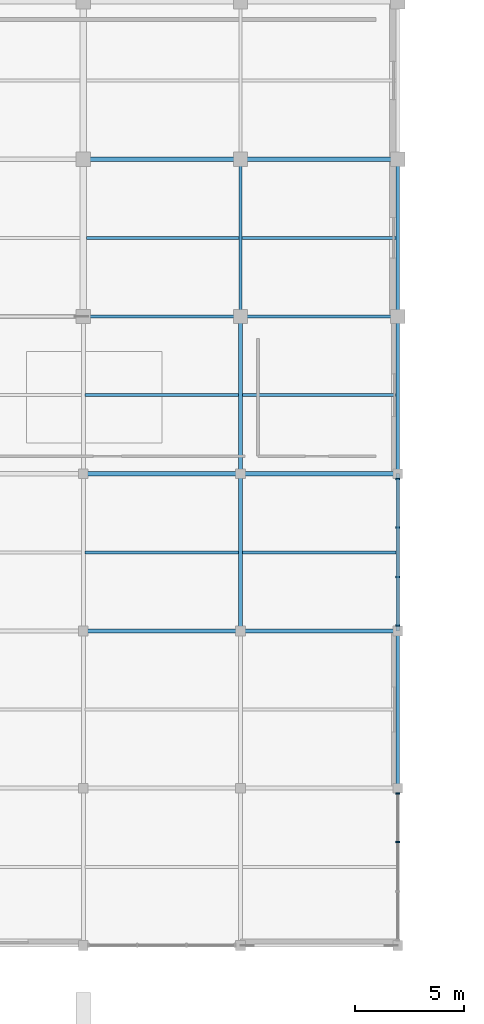
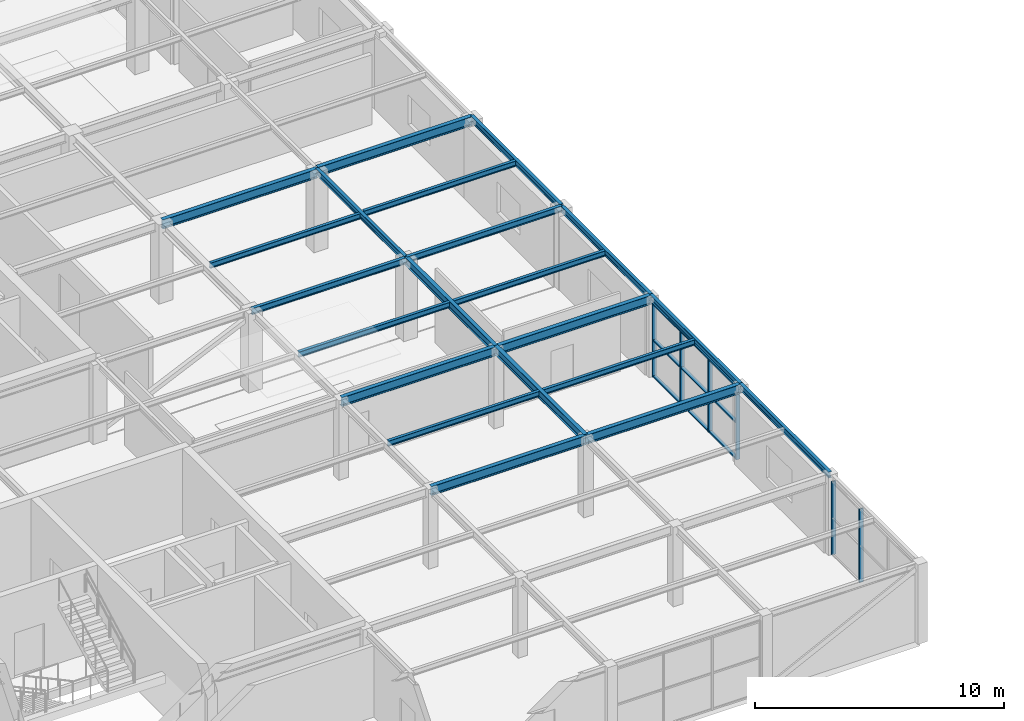
# One storey, part 33 of 64: 21 beams, 9 members, 2 elements without a shape of their own.
"""IFC4 building model written with IfcOpenShell, lengths in metres."""

from ifc_helpers import new_model, si_unit, direction, frame, origin, origin_2d, place, context, subcontext, project, spatial, rectangle, i_section, extrude, material, material_profile, profile_set, type_object, element, aggregate, save


model = new_model("IFC4")

# Units and contexts
model_context = context("Model", 3, precision=1e-05, world=origin(), true_north=direction((0.0, 1.0)))
body_context = subcontext(model_context, "Body", "Model", "MODEL_VIEW")
ifc_project = project(units=[si_unit("LENGTHUNIT", "METRE"), si_unit("AREAUNIT", "SQUARE_METRE"), si_unit("VOLUMEUNIT", "CUBIC_METRE"), si_unit("PLANEANGLEUNIT", "RADIAN"), si_unit("MASSUNIT", "GRAM", prefix="KILO")], contexts=[model_context])

# Site, building, storey
site_placement = place(None, origin())
site = spatial("IfcSite", under=ifc_project, at=site_placement, CompositionType="ELEMENT")
building_placement = place(site_placement, origin())
building = spatial("IfcBuilding", under=site, at=building_placement, Name="Leyfeld Transit Interchange", CompositionType="ELEMENT")
storey_placement = place(building_placement, frame((0.0, 0.0, 9.60009765625)))
storey = spatial("IfcBuildingStorey", under=building, at=storey_placement, Name="L02", CompositionType="ELEMENT", Elevation=9.60009765625)

# Beams
ifc_material_1 = material(Name="Steel S355J2", Category="steel")
ifc_material_profile_1 = material_profile(ifc_material_1, i_section(OverallWidth=0.135009765625, OverallDepth=0.27001953125, WebThickness=0.006591796875, FlangeThickness=0.01025390625, FilletRadius=0.014892578125, at=origin_2d()), Name="IPE 270")
ifc_profile_set_1 = profile_set([ifc_material_profile_1], Name="Steel S355J2")
beam_type_1 = type_object("IfcBeamType", Name="BM-STL-IPE270", PredefinedType="BEAM", material=ifc_profile_set_1)
beam_1_placement = place(storey_placement, frame((28.886962890625, 82.800048828125, 3.764892578125), z_axis=(1.0, 0.0, 0.0), x_axis=(0.0, 1.0, 0.0)))
element("IfcBeam", 1, at=beam_1_placement, inside=storey, type_object=beam_type_1, Name="Beam BM-L02-0289_0828-0359_0828", PredefinedType="BEAM", context=body_context, shape_type="SweptSolid", body=[
    extrude(i_section(OverallWidth=0.135009765625, OverallDepth=0.27001953125, WebThickness=0.006591796875, FlangeThickness=0.01025390625, FilletRadius=0.014892578125, at=origin_2d()), origin(), (0.0, 0.0, 1.0), 7.026123046875),
])
beam_2_placement = place(storey_placement, frame((36.0869140625, 82.800048828125, 3.764892578125), z_axis=(1.0, 0.0, 0.0), x_axis=(0.0, 1.0, 0.0)))
element("IfcBeam", 2, at=beam_2_placement, inside=storey, type_object=beam_type_1, Name="Beam BM-L02-0361_0828-0431_0828", PredefinedType="BEAM", context=body_context, shape_type="SweptSolid", body=[
    extrude(i_section(OverallWidth=0.135009765625, OverallDepth=0.27001953125, WebThickness=0.006591796875, FlangeThickness=0.01025390625, FilletRadius=0.014892578125, at=origin_2d()), origin(), (0.0, 0.0, 1.0), 7.041015625),
])
beam_3_placement = place(storey_placement, frame((28.886962890625, 90.0, 3.764892578125), z_axis=(1.0, 0.0, 0.0), x_axis=(0.0, 1.0, 0.0)))
element("IfcBeam", 3, at=beam_3_placement, inside=storey, type_object=beam_type_1, Name="Beam BM-L02-0289_0900-0359_0900", PredefinedType="BEAM", context=body_context, shape_type="SweptSolid", body=[
    extrude(i_section(OverallWidth=0.135009765625, OverallDepth=0.27001953125, WebThickness=0.006591796875, FlangeThickness=0.01025390625, FilletRadius=0.014892578125, at=origin_2d()), origin(), (0.0, 0.0, 1.0), 7.026123046875),
])
beam_4_placement = place(storey_placement, frame((36.0869140625, 90.0, 3.764892578125), z_axis=(1.0, 0.0, 0.0), x_axis=(0.0, 1.0, 0.0)))
element("IfcBeam", 4, at=beam_4_placement, inside=storey, type_object=beam_type_1, Name="Beam BM-L02-0361_0900-0431_0900", PredefinedType="BEAM", context=body_context, shape_type="SweptSolid", body=[
    extrude(i_section(OverallWidth=0.135009765625, OverallDepth=0.27001953125, WebThickness=0.006591796875, FlangeThickness=0.01025390625, FilletRadius=0.014892578125, at=origin_2d()), origin(), (0.0, 0.0, 1.0), 7.041015625),
])
beam_5_placement = place(storey_placement, frame((28.947021484375, 97.199951171875, 3.744873046875), z_axis=(1.0, 0.0, 0.0), x_axis=(0.0, 1.0, 0.0)))
element("IfcBeam", 5, at=beam_5_placement, inside=storey, type_object=beam_type_1, Name="Beam BM-L02-0289_0972-0359_0972", PredefinedType="BEAM", context=body_context, shape_type="SweptSolid", body=[
    extrude(i_section(OverallWidth=0.135009765625, OverallDepth=0.27001953125, WebThickness=0.006591796875, FlangeThickness=0.01025390625, FilletRadius=0.014892578125, at=origin_2d()), origin(), (0.0, 0.0, 1.0), 6.98095703125),
])
beam_6_placement = place(storey_placement, frame((36.072021484375, 97.199951171875, 3.804931640625), z_axis=(1.0, 0.0, 0.0), x_axis=(0.0, 1.0, 0.0)))
element("IfcBeam", 6, at=beam_6_placement, inside=storey, type_object=beam_type_1, Name="Beam BM-L02-0361_0972-0431_0972", PredefinedType="BEAM", context=body_context, shape_type="SweptSolid", body=[
    extrude(i_section(OverallWidth=0.135009765625, OverallDepth=0.27001953125, WebThickness=0.006591796875, FlangeThickness=0.01025390625, FilletRadius=0.014892578125, at=origin_2d()), origin(), (0.0, 0.0, 1.0), 7.055908203125),
])
ifc_material_profile_2 = material_profile(ifc_material_1, i_section(OverallWidth=0.14990234375, OverallDepth=0.300048828125, WebThickness=0.007080078125, FlangeThickness=0.0107421875, FilletRadius=0.014892578125, at=origin_2d()), Name="IPE 300")
ifc_profile_set_2 = profile_set([ifc_material_profile_2], Name="Steel S355J2")
beam_type_2 = type_object("IfcBeamType", Name="BM-STL-IPE300", PredefinedType="SPANDREL", material=ifc_profile_set_2)
for number, where, z_axis, x_axis, name in (
    (7, (43.199951171875, 72.0, 3.75), (0.0, 1.0, 0.0), (-1.0, 0.0, 0.0), "Beam BM-L02-0432_0720-0432_0792"),
    (8, (43.199951171875, 79.199951171875, 3.75), (0.0, 1.0, 0.0), (-1.0, 0.0, 0.0), "Beam BM-L02-0432_0792-0432_0864"),
):
    element("IfcBeam", number, at=place(storey_placement, frame(where, z_axis=z_axis, x_axis=x_axis)), inside=storey, type_object=beam_type_2, Name=name, PredefinedType="SPANDREL", context=body_context, shape_type="SweptSolid", body=[
        extrude(i_section(OverallWidth=0.14990234375, OverallDepth=0.300048828125, WebThickness=0.007080078125, FlangeThickness=0.0107421875, FilletRadius=0.014892578125, at=origin_2d()), origin(), (0.0, 0.0, 1.0), 7.199951171875),
    ])
beam_7_placement = place(storey_placement, frame((43.199951171875, 86.39990234375, 3.75), z_axis=(0.0, 1.0, 0.0), x_axis=(-1.0, 0.0, 0.0)))
element("IfcBeam", 9, at=beam_7_placement, inside=storey, type_object=beam_type_2, Name="Beam BM-L02-0432_0864-0432_0936", PredefinedType="SPANDREL", context=body_context, shape_type="SweptSolid", body=[
    extrude(i_section(OverallWidth=0.14990234375, OverallDepth=0.300048828125, WebThickness=0.007080078125, FlangeThickness=0.0107421875, FilletRadius=0.014892578125, at=origin_2d()), origin(), (0.0, 0.0, 1.0), 7.2001953125),
])
for number, where, z_axis, x_axis, name in (
    (10, (28.800048828125, 93.60009765625, 3.72998046875), (1.0, 0.0, 0.0), (0.0, 1.0, 0.0), "Beam BM-L02-0288_0936-0360_0936"),
    (11, (36.0, 93.60009765625, 3.75), (1.0, 0.0, 0.0), (0.0, 1.0, 0.0), "Beam BM-L02-0360_0936-0432_0936"),
    (12, (36.0, 93.60009765625, 3.72998046875), (0.0, 1.0, 0.0), (-1.0, 0.0, 0.0), "Beam BM-L02-0360_0936-0360_1008"),
    (13, (43.199951171875, 93.60009765625, 3.789794921875), (0.0, 1.0, 0.0), (-1.0, 0.0, 0.0), "Beam BM-L02-0432_0936-0432_1008"),
):
    element("IfcBeam", number, at=place(storey_placement, frame(where, z_axis=z_axis, x_axis=x_axis)), inside=storey, type_object=beam_type_2, Name=name, PredefinedType="SPANDREL", context=body_context, shape_type="SweptSolid", body=[
        extrude(i_section(OverallWidth=0.14990234375, OverallDepth=0.300048828125, WebThickness=0.007080078125, FlangeThickness=0.0107421875, FilletRadius=0.014892578125, at=origin_2d()), origin(), (0.0, 0.0, 1.0), 7.199951171875),
    ])
ifc_material_profile_3 = material_profile(ifc_material_1, i_section(OverallWidth=0.179931640625, OverallDepth=0.39990234375, WebThickness=0.008544921875, FlangeThickness=0.013427734375, FilletRadius=0.02099609375, at=origin_2d()), Name="IPE 400")
ifc_profile_set_3 = profile_set([ifc_material_profile_3], Name="Steel S355J2")
beam_type_3 = type_object("IfcBeamType", Name="BM-STL-IPE400", PredefinedType="BEAM", material=ifc_profile_set_3)
beam_8_placement = place(storey_placement, frame((36.0, 79.199951171875, 3.699951171875), z_axis=(0.0, 1.0, 0.0), x_axis=(-1.0, 0.0, 0.0)))
element("IfcBeam", 14, at=beam_8_placement, inside=storey, type_object=beam_type_3, Name="Beam BM-L02-0360_0792-0360_0864", PredefinedType="BEAM", context=body_context, shape_type="SweptSolid", body=[
    extrude(i_section(OverallWidth=0.179931640625, OverallDepth=0.39990234375, WebThickness=0.008544921875, FlangeThickness=0.013427734375, FilletRadius=0.02099609375, at=origin_2d()), origin(), (0.0, 0.0, 1.0), 7.199951171875),
])
beam_9_placement = place(storey_placement, frame((36.0, 86.39990234375, 3.699951171875), z_axis=(0.0, 1.0, 0.0), x_axis=(-1.0, 0.0, 0.0)))
element("IfcBeam", 15, at=beam_9_placement, inside=storey, type_object=beam_type_3, Name="Beam BM-L02-0360_0864-0360_0936", PredefinedType="BEAM", context=body_context, shape_type="SweptSolid", body=[
    extrude(i_section(OverallWidth=0.179931640625, OverallDepth=0.39990234375, WebThickness=0.008544921875, FlangeThickness=0.013427734375, FilletRadius=0.02099609375, at=origin_2d()), origin(), (0.0, 0.0, 1.0), 7.2001953125),
])
ifc_material_profile_4 = material_profile(ifc_material_1, i_section(OverallWidth=0.18994140625, OverallDepth=0.449951171875, WebThickness=0.009521484375, FlangeThickness=0.0146484375, FilletRadius=0.02099609375, at=origin_2d()), Name="IPE 450")
ifc_profile_set_4 = profile_set([ifc_material_profile_4], Name="Steel S355J2")
beam_type_4 = type_object("IfcBeamType", Name="BM-STL-IPE450", PredefinedType="BEAM", material=ifc_profile_set_4)
for number, where, z_axis, x_axis, name in (
    (16, (28.800048828125, 79.199951171875, 3.6748046875), (1.0, 0.0, 0.0), (0.0, 1.0, 0.0), "Beam BM-L02-0288_0792-0360_0792"),
    (17, (36.0, 79.199951171875, 3.6748046875), (1.0, 0.0, 0.0), (0.0, 1.0, 0.0), "Beam BM-L02-0360_0792-0432_0792"),
    (18, (28.800048828125, 86.39990234375, 3.6748046875), (1.0, 0.0, 0.0), (0.0, 1.0, 0.0), "Beam BM-L02-0288_0864-0360_0864"),
    (19, (36.0, 86.39990234375, 3.6748046875), (1.0, 0.0, 0.0), (0.0, 1.0, 0.0), "Beam BM-L02-0360_0864-0432_0864"),
    (20, (28.800048828125, 100.800048828125, 3.65478515625), (1.0, 0.0, 0.0), (0.0, 1.0, 0.0), "Beam BM-L02-0288_1008-0360_1008"),
    (21, (36.0, 100.800048828125, 3.71484375), (1.0, 0.0, 0.0), (0.0, 1.0, 0.0), "Beam BM-L02-0360_1008-0432_1008"),
):
    element("IfcBeam", number, at=place(storey_placement, frame(where, z_axis=z_axis, x_axis=x_axis)), inside=storey, type_object=beam_type_4, Name=name, PredefinedType="BEAM", context=body_context, shape_type="SweptSolid", body=[
        extrude(i_section(OverallWidth=0.18994140625, OverallDepth=0.449951171875, WebThickness=0.009521484375, FlangeThickness=0.0146484375, FilletRadius=0.02099609375, at=origin_2d()), origin(), (0.0, 0.0, 1.0), 7.199951171875),
    ])

# Curtain wall, members
ifc_material_2 = material(Name="Anodised aluminium EN AW-6060 T66", Category="aluminium")
curtain_wall_type = type_object("IfcCurtainWallType", Name="CW-SYS-CYC-7200", PredefinedType="NOTDEFINED", material=ifc_material_2)
curtain_wall_1_placement = place(storey_placement, origin())
curtain_wall_1 = element("IfcCurtainWall", 22, at=curtain_wall_1_placement, inside=storey, type_object=curtain_wall_type, Name="Curtain Wall CW-L02-105", PredefinedType="NOTDEFINED")
ifc_material_profile_5 = material_profile(ifc_material_2, rectangle(XDim=0.06494140625, YDim=0.179931640625, at=origin_2d()), Name="CW-M 65x180")
ifc_profile_set_5 = profile_set([ifc_material_profile_5], Name="Anodised aluminium EN AW-6060 T66")
member_type_1 = type_object("IfcMemberType", Name="CW-MUL-150x65", PredefinedType="MULLION", material=ifc_profile_set_5)
member_1_placement = place(storey_placement, frame((43.199951171875, 86.152587890625, 0.0), z_axis=(0.0, 0.0, 1.0), x_axis=(0.0, -1.0, 0.0)))
member_1 = element("IfcMember", 23, at=member_1_placement, type_object=member_type_1, Name="Curtain Mullion CW-L02-105-M01", PredefinedType="MULLION", context=body_context, shape_type="SweptSolid", body=[
    extrude(rectangle(XDim=0.06494140625, YDim=0.179931640625, at=origin_2d()), origin(), (0.0, 0.0, 1.0), 3.599853515625),
])
member_2_placement = place(storey_placement, frame((43.199951171875, 83.92822265625, 0.0), z_axis=(0.0, 0.0, 1.0), x_axis=(0.0, -1.0, 0.0)))
member_2 = element("IfcMember", 24, at=member_2_placement, type_object=member_type_1, Name="Curtain Mullion CW-L02-105-M02", PredefinedType="MULLION", context=body_context, shape_type="SweptSolid", body=[
    extrude(rectangle(XDim=0.06494140625, YDim=0.179931640625, at=origin_2d()), origin(), (0.0, 0.0, 1.0), 3.599853515625),
])
member_3_placement = place(storey_placement, frame((43.199951171875, 81.671630859375, 0.0), z_axis=(0.0, 0.0, 1.0), x_axis=(0.0, -1.0, 0.0)))
member_3 = element("IfcMember", 25, at=member_3_placement, type_object=member_type_1, Name="Curtain Mullion CW-L02-105-M03", PredefinedType="MULLION", context=body_context, shape_type="SweptSolid", body=[
    extrude(rectangle(XDim=0.06494140625, YDim=0.179931640625, at=origin_2d()), origin(), (0.0, 0.0, 1.0), 3.599853515625),
])
member_4_placement = place(storey_placement, frame((43.199951171875, 79.447509765625, 0.0), z_axis=(0.0, 0.0, 1.0), x_axis=(0.0, -1.0, 0.0)))
member_4 = element("IfcMember", 26, at=member_4_placement, type_object=member_type_1, Name="Curtain Mullion CW-L02-105-M04", PredefinedType="MULLION", context=body_context, shape_type="SweptSolid", body=[
    extrude(rectangle(XDim=0.06494140625, YDim=0.179931640625, at=origin_2d()), origin(), (0.0, 0.0, 1.0), 3.599853515625),
])

curtain_wall_2_placement = place(storey_placement, origin())
curtain_wall_2 = element("IfcCurtainWall", 27, at=curtain_wall_2_placement, inside=storey, type_object=curtain_wall_type, Name="Curtain Wall CW-L02-106", PredefinedType="NOTDEFINED")
member_5_placement = place(storey_placement, frame((43.199951171875, 71.75244140625, 0.0), z_axis=(0.0, 0.0, 1.0), x_axis=(0.0, -1.0, 0.0)))
member_5 = element("IfcMember", 28, at=member_5_placement, type_object=member_type_1, Name="Curtain Mullion CW-L02-106-M01", PredefinedType="MULLION", context=body_context, shape_type="SweptSolid", body=[
    extrude(rectangle(XDim=0.06494140625, YDim=0.179931640625, at=origin_2d()), origin(), (0.0, 0.0, 1.0), 3.599853515625),
])
member_6_placement = place(storey_placement, frame((43.199951171875, 69.5283203125, 0.0), z_axis=(0.0, 0.0, 1.0), x_axis=(0.0, -1.0, 0.0)))
member_6 = element("IfcMember", 29, at=member_6_placement, type_object=member_type_1, Name="Curtain Mullion CW-L02-106-M02", PredefinedType="MULLION", context=body_context, shape_type="SweptSolid", body=[
    extrude(rectangle(XDim=0.06494140625, YDim=0.179931640625, at=origin_2d()), origin(), (0.0, 0.0, 1.0), 3.599853515625),
])
aggregate(curtain_wall_2, [member_5, member_6])

# Member
ifc_material_profile_6 = material_profile(ifc_material_2, rectangle(XDim=0.14990234375, YDim=0.06494140625, at=origin_2d()), Name="CW-TRN-135x65")
ifc_profile_set_6 = profile_set([ifc_material_profile_6], Name="Anodised aluminium EN AW-6060 T66")
member_type_2 = type_object("IfcMemberType", Name="CW-TRN-135x65", PredefinedType="USERDEFINED", material=ifc_profile_set_6)
member_7_placement = place(storey_placement, frame((43.199951171875, 86.18505859375, 0.032470703125), z_axis=(0.0, -1.0, 0.0), x_axis=(1.0, 0.0, 0.0)))
member_7 = element("IfcMember", 30, at=member_7_placement, type_object=member_type_2, Name="Curtain Transom CW-L02-105-T01", ObjectType="TRANSOM", PredefinedType="USERDEFINED", context=body_context, shape_type="SweptSolid", body=[
    extrude(rectangle(XDim=0.14990234375, YDim=0.06494140625, at=origin_2d()), origin(), (0.0, 0.0, 1.0), 6.77001953125),
])

member_8_placement = place(storey_placement, frame((43.199951171875, 86.18505859375, 1.7998046875), z_axis=(0.0, -1.0, 0.0), x_axis=(1.0, 0.0, 0.0)))
member_8 = element("IfcMember", 31, at=member_8_placement, type_object=member_type_2, Name="Curtain Transom CW-L02-105-T02", ObjectType="TRANSOM", PredefinedType="USERDEFINED", context=body_context, shape_type="SweptSolid", body=[
    extrude(rectangle(XDim=0.14990234375, YDim=0.06494140625, at=origin_2d()), origin(), (0.0, 0.0, 1.0), 6.77001953125),
])

member_9_placement = place(storey_placement, frame((43.199951171875, 86.18505859375, 3.5673828125), z_axis=(0.0, -1.0, 0.0), x_axis=(1.0, 0.0, 0.0)))
member_9 = element("IfcMember", 32, at=member_9_placement, type_object=member_type_2, Name="Curtain Transom CW-L02-105-T03", ObjectType="TRANSOM", PredefinedType="USERDEFINED", context=body_context, shape_type="SweptSolid", body=[
    extrude(rectangle(XDim=0.14990234375, YDim=0.06494140625, at=origin_2d()), origin(), (0.0, 0.0, 1.0), 6.77001953125),
])

aggregate(curtain_wall_1, [member_1, member_2, member_3, member_4, member_7, member_8, member_9])

save(model, "model.ifc")
